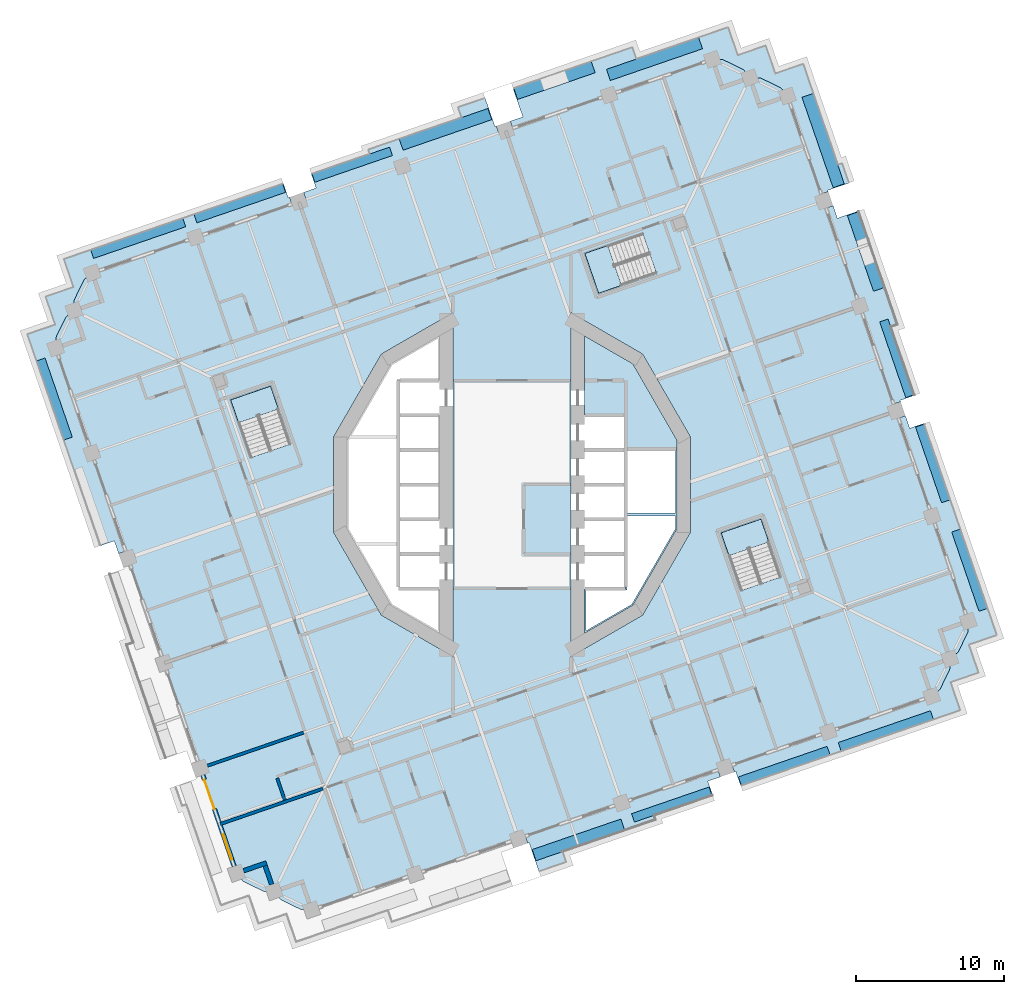
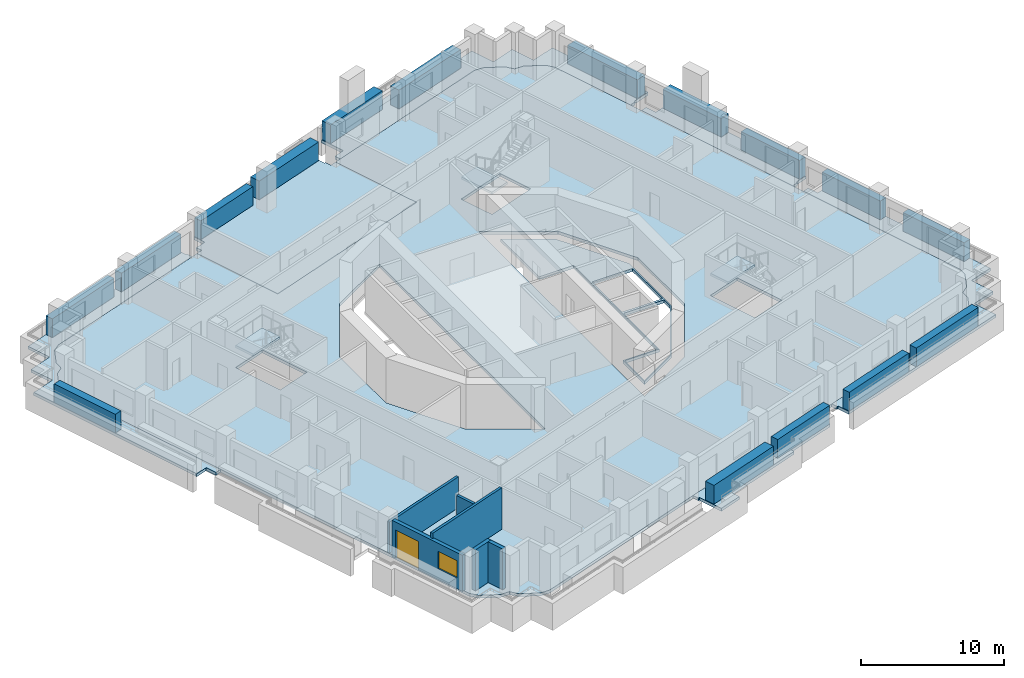
# One storey, part 3 of 18: 16 plates, 11 slabs, 6 walls, 1 door, 1 window, 2 openings, 3 elements without a shape of their own.
"""IFC4 building model written with IfcOpenShell, lengths in metres."""

from ifc_helpers import new_model, si_unit, direction, frame, frame_2d, origin, origin_2d, place, context, subcontext, project, spatial, polyline, rectangle, outline, extrude, material, layer, layer_set, type_object, element, fill, aggregate, save


model = new_model("IFC4")

# Units and contexts
model_context = context("Model", 3, precision=1e-05, world=origin(), true_north=direction((0.0, 1.0)))
body_context = subcontext(model_context, "Body", "Model", "MODEL_VIEW")
ifc_project = project(units=[si_unit("LENGTHUNIT", "METRE"), si_unit("AREAUNIT", "SQUARE_METRE"), si_unit("VOLUMEUNIT", "CUBIC_METRE"), si_unit("PLANEANGLEUNIT", "RADIAN"), si_unit("MASSUNIT", "GRAM", prefix="KILO")], contexts=[model_context])

# Site, building, storey
site_placement = place(None, origin())
site = spatial("IfcSite", under=ifc_project, at=site_placement, CompositionType="ELEMENT")
building_placement = place(site_placement, origin())
building = spatial("IfcBuilding", under=site, at=building_placement, Name="Cantera Rosa Tower", CompositionType="ELEMENT")
storey_placement = place(building_placement, frame((0.0, 0.0, 134.5)))
storey = spatial("IfcBuildingStorey", under=building, at=storey_placement, Name="L28", CompositionType="ELEMENT", Elevation=134.5)

# Slabs
ifc_material_1 = material(Name="Concrete C35/45", Category="concrete")
ifc_layer_1 = layer(ifc_material_1, 0.25)
ifc_layer_set_1 = layer_set([ifc_layer_1], Name="COMPOSITE FLOOR SLAB 250 C35/45")
slab_type_1 = type_object("IfcSlabType", Name="COMPOSITE FLOOR SLAB 250 C35/45", PredefinedType="FLOOR", material=ifc_layer_set_1)
slab_1_placement = place(storey_placement, frame((0.0, 0.0, -0.25)))
element("IfcSlab", 1, at=slab_1_placement, inside=storey, type_object=slab_type_1, Name="SLAB L28 floor 2", PredefinedType="FLOOR", context=body_context, shape_type="SweptSolid", body=[
    extrude(outline(polyline([(-15.631591796875, -28.111083984375), (-15.65576171875, -28.09423828125), (-15.67822265625, -28.075439453125), (-15.698974609375, -28.05419921875), (-16.109619140625, -27.54541015625), (-16.763671875, -27.534912109375), (-16.79296875, -27.53173828125), (-16.82177734375, -27.525634765625), (-16.849609375, -27.516845703125), (-16.876708984375, -27.505126953125), (-18.14794921875, -26.88525390625), (-18.173583984375, -26.87109375), (-18.197998046875, -26.8544921875), (-18.220458984375, -26.83544921875), (-18.240966796875, -26.814453125), (-18.65185546875, -26.3056640625), (-18.948974609375, -25.443115234375), (-30.893310546875, 9.245849609375), (-30.8828125, 9.899658203125), (-30.87939453125, 9.928955078125), (-30.873291015625, 9.957763671875), (-30.864501953125, 9.98583984375), (-30.852783203125, 10.012939453125), (-30.23291015625, 11.283935546875), (-30.21875, 11.309814453125), (-30.2021484375, 11.333984375), (-30.18310546875, 11.356689453125), (-30.162109375, 11.377197265625), (-29.6533203125, 11.7880859375), (-29.642822265625, 12.44189453125), (-29.6396484375, 12.47119140625), (-29.633544921875, 12.5), (-29.62451171875, 12.528076171875), (-29.613037109375, 12.55517578125), (-28.9931640625, 13.826171875), (-28.97900390625, 13.85205078125), (-28.962158203125, 13.876220703125), (-28.943359375, 13.898681640625), (-28.922119140625, 13.91943359375), (-28.41357421875, 14.330078125), (-27.55078125, 14.627197265625), (-14.419921875, 19.148681640625), (-11.97802734375, 12.05712890625), (2.015625, 16.87548828125), (-0.426025390625, 23.967041015625), (13.567626953125, 28.785400390625), (14.221435546875, 28.77490234375), (14.250732421875, 28.771728515625), (14.279541015625, 28.765625), (14.3076171875, 28.756591796875), (14.334716796875, 28.7451171875), (15.605712890625, 28.125), (15.631591796875, 28.111083984375), (15.65576171875, 28.09423828125), (15.67822265625, 28.075439453125), (15.698974609375, 28.05419921875), (16.109619140625, 27.54541015625), (16.763671875, 27.534912109375), (16.79296875, 27.53173828125), (16.82177734375, 27.525634765625), (16.849609375, 27.516845703125), (16.876708984375, 27.505126953125), (18.14794921875, 26.88525390625), (18.173583984375, 26.87109375), (18.197998046875, 26.8544921875), (18.220458984375, 26.83544921875), (18.240966796875, 26.814453125), (18.65185546875, 26.3056640625), (18.948974609375, 25.443115234375), (30.893310546875, -9.245849609375), (30.8828125, -9.899658203125), (30.87939453125, -9.928955078125), (30.873291015625, -9.957763671875), (30.864501953125, -9.98583984375), (30.852783203125, -10.012939453125), (30.23291015625, -11.283935546875), (30.21875, -11.309814453125), (30.2021484375, -11.333984375), (30.18310546875, -11.356689453125), (30.162109375, -11.377197265625), (29.6533203125, -11.7880859375), (29.642822265625, -12.44189453125), (29.6396484375, -12.47119140625), (29.633544921875, -12.5), (29.62451171875, -12.528076171875), (29.613037109375, -12.55517578125), (28.9931640625, -13.826171875), (28.97900390625, -13.85205078125), (28.962158203125, -13.876220703125), (28.943359375, -13.898681640625), (28.922119140625, -13.91943359375), (28.41357421875, -14.330078125), (27.55078125, -14.627197265625), (-13.567626953125, -28.785400390625), (-14.221435546875, -28.77490234375), (-14.250732421875, -28.771728515625), (-14.279541015625, -28.765625), (-14.3076171875, -28.756591796875), (-14.334716796875, -28.7451171875), (-15.605712890625, -28.125), (-15.631591796875, -28.111083984375)]), holes=[polyline([(-12.07421875, -3.235107421875), (-8.8388671875, -8.8388671875), (-4.0, -11.632568359375), (-4.0, 11.632568359375), (-8.8388671875, 8.8388671875), (-12.07421875, 3.235107421875), (-12.07421875, -3.235107421875)]), polyline([(-16.347900390625, 6.6640625), (-19.042724609375, 5.736083984375), (-17.695556640625, 1.82373046875), (-15.000732421875, 2.751708984375), (-16.347900390625, 6.6640625)]), polyline([(16.85205078125, -2.3359375), (14.1572265625, -3.263916015625), (15.50439453125, -7.17626953125), (18.19921875, -6.248291015625), (16.85205078125, -2.3359375)]), polyline([(12.07421875, -3.235107421875), (12.07421875, 3.235107421875), (8.8388671875, 8.8388671875), (4.0, 11.632568359375), (4.0, -11.632568359375), (8.8388671875, -8.8388671875), (12.07421875, -3.235107421875)]), polyline([(4.935791015625, 15.652099609375), (5.86376953125, 12.957275390625), (9.7763671875, 14.304443359375), (8.848388671875, 16.999267578125), (4.935791015625, 15.652099609375)])]), origin(), (0.0, 0.0, 1.0), 0.25),
])
slab_2_placement = place(storey_placement, frame((0.0, 0.0, -0.25)))
element("IfcSlab", 2, at=slab_2_placement, inside=storey, type_object=slab_type_1, Name="SLAB L28 floor 3", PredefinedType="FLOOR", context=body_context, shape_type="SweptSolid", body=[
    extrude(outline(polyline([(7.699951171875, 4.699951171875), (4.89990234375, 4.699951171875), (4.89990234375, 10.07373046875), (8.179931640625, 8.179931640625), (11.174072265625, 2.994140625), (11.174072265625, -2.994140625), (8.179931640625, -8.179931640625), (4.89990234375, -10.07373046875), (4.89990234375, -7.050048828125), (7.699951171875, -7.050048828125), (7.699951171875, -4.699951171875), (7.699951171875, -2.35009765625), (7.699951171875, 0.0), (7.699951171875, 2.35009765625), (7.699951171875, 4.699951171875)]), holes=[polyline([(7.800048828125, -7.14990234375), (5.0, -7.14990234375), (5.0, -9.900390625), (8.106689453125, -8.106689453125), (11.07421875, -2.96728515625), (11.07421875, -2.11474609375), (7.800048828125, -2.11474609375), (7.800048828125, -2.25), (7.800048828125, -2.449951171875), (7.800048828125, -7.14990234375)]), polyline([(11.07421875, 2.317626953125), (7.800048828125, 2.317626953125), (7.800048828125, 2.25), (7.800048828125, -1.914794921875), (11.07421875, -1.914794921875), (11.07421875, 2.317626953125)])]), origin(), (0.0, 0.0, 1.0), 0.25),
])
ifc_material_2 = material(Name="Concrete C35/45", Category="concrete")
ifc_layer_2 = layer(ifc_material_2, 0.25)
ifc_layer_set_2 = layer_set([ifc_layer_2], Name="LOGGIA SLAB 250 C35/45")
slab_type_2 = type_object("IfcSlabType", Name="LOGGIA SLAB 250 C35/45", PredefinedType="FLOOR", material=ifc_layer_set_2)
slab_3_placement = place(storey_placement, frame((0.0, 0.0, -0.25)))
element("IfcSlab", 3, at=slab_3_placement, inside=storey, type_object=slab_type_2, Name="LOGGIA SLAB L28 1", PredefinedType="FLOOR", context=body_context, shape_type="SweptSolid", body=[
    extrude(outline(polyline([(-32.7998046875, 10.17578125), (-31.381591796875, 10.6640625), (-30.908935546875, 10.826904296875), (-31.071533203125, 11.2998046875), (-31.56005859375, 12.718017578125), (-30.1416015625, 13.206298828125), (-29.6689453125, 13.369140625), (-29.831787109375, 13.841796875), (-30.320068359375, 15.260009765625), (-28.90185546875, 15.74853515625), (-23.3232421875, 17.669189453125), (-20.48681640625, 18.64599609375), (-16.326416015625, 20.07861328125), (-15.4755859375, 20.37158203125), (-15.14990234375, 19.426025390625), (-15.055419921875, 19.45849609375), (-14.892578125, 18.98583984375), (-27.55078125, 14.627197265625), (-28.41357421875, 14.330078125), (-28.922119140625, 13.91943359375), (-28.943359375, 13.898681640625), (-28.962158203125, 13.876220703125), (-28.97900390625, 13.85205078125), (-28.9931640625, 13.826171875), (-29.613037109375, 12.55517578125), (-29.62451171875, 12.528076171875), (-29.633544921875, 12.5), (-29.6396484375, 12.47119140625), (-29.642822265625, 12.44189453125), (-29.6533203125, 11.7880859375), (-30.162109375, 11.377197265625), (-30.18310546875, 11.356689453125), (-30.2021484375, 11.333984375), (-30.21875, 11.309814453125), (-30.23291015625, 11.283935546875), (-30.852783203125, 10.012939453125), (-30.864501953125, 9.98583984375), (-30.873291015625, 9.957763671875), (-30.87939453125, 9.928955078125), (-30.8828125, 9.899658203125), (-30.893310546875, 9.245849609375), (-26.159423828125, -4.501953125), (-26.63232421875, -4.664794921875), (-26.92529296875, -3.813720703125), (-27.892333984375, -4.146728515625), (-27.932373046875, -4.03076171875), (-27.910888671875, -4.023193359375), (-29.375, 0.22900390625), (-30.3515625, 3.0654296875), (-32.3115234375, 8.757568359375), (-32.7998046875, 10.17578125)])), origin(), (0.0, 0.0, 1.0), 0.25),
])
slab_4_placement = place(storey_placement, frame((0.0, 0.0, -0.25)))
element("IfcSlab", 4, at=slab_4_placement, inside=storey, type_object=slab_type_2, Name="LOGGIA SLAB L28 4", PredefinedType="FLOOR", context=body_context, shape_type="SweptSolid", body=[
    extrude(outline(polyline([(14.10986328125, -19.7841796875), (13.2587890625, -20.0771484375), (13.58447265625, -21.022705078125), (13.489990234375, -21.05517578125), (9.619873046875, -22.3876953125), (9.7197265625, -22.677978515625), (3.408447265625, -24.851318359375), (3.64453125, -25.53662109375), (1.81787109375, -26.165771484375), (1.15625, -24.244384765625), (1.061767578125, -24.277099609375), (0.89892578125, -23.80419921875), (13.947021484375, -19.311279296875), (14.10986328125, -19.7841796875)])), origin(), (0.0, 0.0, 1.0), 0.25),
])
slab_5_placement = place(storey_placement, frame((0.0, 0.0, -0.25)))
element("IfcSlab", 5, at=slab_5_placement, inside=storey, type_object=slab_type_2, Name="LOGGIA SLAB L28 5", PredefinedType="FLOOR", context=body_context, shape_type="SweptSolid", body=[
    extrude(outline(polyline([(15.272705078125, 29.05517578125), (15.556396484375, 29.15283203125), (17.16357421875, 29.706298828125), (17.717041015625, 28.09912109375), (17.814697265625, 27.815185546875), (18.098388671875, 27.9130859375), (19.705810546875, 28.466552734375), (20.25927734375, 26.859130859375), (22.055908203125, 21.641357421875), (22.341064453125, 21.739501953125), (22.79736328125, 20.414306640625), (21.377685546875, 19.92529296875), (21.41015625, 19.830810546875), (20.9375, 19.668212890625), (18.948974609375, 25.443115234375), (18.65185546875, 26.3056640625), (18.240966796875, 26.814453125), (18.220458984375, 26.83544921875), (18.197998046875, 26.8544921875), (18.173583984375, 26.87109375), (18.14794921875, 26.88525390625), (16.876708984375, 27.505126953125), (16.849609375, 27.516845703125), (16.82177734375, 27.525634765625), (16.79296875, 27.53173828125), (16.763671875, 27.534912109375), (16.109619140625, 27.54541015625), (15.698974609375, 28.05419921875), (15.67822265625, 28.075439453125), (15.65576171875, 28.09423828125), (15.631591796875, 28.111083984375), (15.605712890625, 28.125), (14.334716796875, 28.7451171875), (14.3076171875, 28.756591796875), (14.279541015625, 28.765625), (14.250732421875, 28.771728515625), (14.221435546875, 28.77490234375), (13.567626953125, 28.785400390625), (0.046630859375, 24.1298828125), (-0.1162109375, 24.6025390625), (0.73486328125, 24.8955078125), (0.0732421875, 26.81689453125), (8.140380859375, 29.594482421875), (8.411376953125, 28.807861328125), (13.01416015625, 30.392822265625), (14.62158203125, 30.9462890625), (15.1748046875, 29.3388671875), (15.272705078125, 29.05517578125)])), origin(), (0.0, 0.0, 1.0), 0.25),
])
slab_6_placement = place(storey_placement, frame((0.0, 0.0, -0.25)))
element("IfcSlab", 6, at=slab_6_placement, inside=storey, type_object=slab_type_2, Name="LOGGIA SLAB L28 6", PredefinedType="FLOOR", context=body_context, shape_type="SweptSolid", body=[
    extrude(outline(polyline([(25.833984375, 5.447509765625), (21.262939453125, 18.72265625), (21.735595703125, 18.885498046875), (22.02880859375, 18.034423828125), (23.448486328125, 18.523193359375), (26.0927734375, 10.843994140625), (25.639892578125, 10.688232421875), (27.2412109375, 6.037841796875), (26.274169921875, 5.704833984375), (26.306640625, 5.6103515625), (25.833984375, 5.447509765625)])), origin(), (0.0, 0.0, 1.0), 0.25),
])
slab_7_placement = place(storey_placement, frame((0.0, 0.0, -0.25)))
element("IfcSlab", 7, at=slab_7_placement, inside=storey, type_object=slab_type_2, Name="LOGGIA SLAB L28 7", PredefinedType="FLOOR", context=body_context, shape_type="SweptSolid", body=[
    extrude(outline(polyline([(32.7998046875, -10.17578125), (31.381591796875, -10.6640625), (30.908935546875, -10.826904296875), (31.071533203125, -11.2998046875), (31.56005859375, -12.718017578125), (30.1416015625, -13.206298828125), (29.6689453125, -13.369140625), (29.831787109375, -13.841796875), (30.320068359375, -15.260009765625), (28.90185546875, -15.74853515625), (23.3232421875, -17.669189453125), (20.48681640625, -18.64599609375), (16.326416015625, -20.07861328125), (15.4755859375, -20.37158203125), (15.14990234375, -19.426025390625), (15.055419921875, -19.45849609375), (14.892578125, -18.98583984375), (27.55078125, -14.627197265625), (28.41357421875, -14.330078125), (28.922119140625, -13.91943359375), (28.943359375, -13.898681640625), (28.962158203125, -13.876220703125), (28.97900390625, -13.85205078125), (28.9931640625, -13.826171875), (29.613037109375, -12.55517578125), (29.62451171875, -12.528076171875), (29.633544921875, -12.5), (29.6396484375, -12.47119140625), (29.642822265625, -12.44189453125), (29.6533203125, -11.7880859375), (30.162109375, -11.377197265625), (30.18310546875, -11.356689453125), (30.2021484375, -11.333984375), (30.21875, -11.309814453125), (30.23291015625, -11.283935546875), (30.852783203125, -10.012939453125), (30.864501953125, -9.98583984375), (30.873291015625, -9.957763671875), (30.87939453125, -9.928955078125), (30.8828125, -9.899658203125), (30.893310546875, -9.245849609375), (26.159423828125, 4.501953125), (26.63232421875, 4.664794921875), (26.92529296875, 3.813720703125), (27.892333984375, 4.146728515625), (27.932373046875, 4.03076171875), (27.910888671875, 4.023193359375), (29.375, -0.22900390625), (30.3515625, -3.0654296875), (32.3115234375, -8.757568359375), (32.7998046875, -10.17578125)])), origin(), (0.0, 0.0, 1.0), 0.25),
])

# Plates
ifc_material_3 = material(Name="Cantera stone planter with soil", Category="masonry")
plate_type_1 = type_object("IfcPlateType", Name="PLANTER 600", PredefinedType="USERDEFINED", material=ifc_material_3)
plate_1_placement = place(storey_placement, frame((30.974609375, -5.79638671875, 0.0), z_axis=(0.0, 0.0, 1.0), x_axis=(-0.325568154457, 0.945518575599, 0.0)))
element("IfcPlate", 8, at=plate_1_placement, inside=storey, type_object=plate_type_1, Name="PLANTER L28-01", ObjectType="PLANTER", PredefinedType="USERDEFINED", context=body_context, shape_type="SweptSolid", body=[
    extrude(rectangle(XDim=5.669921875, YDim=0.60009765625, at=origin_2d()), origin(), (0.0, 0.0, 1.0), 1.60009765625),
])
for number, where, z_axis, x_axis, name in (
    (9, (28.485595703125, 1.43212890625, 0.0), (0.0, 0.0, 1.0), (-0.325568154457, 0.945518575599, 0.0), "PLANTER L28-02"),
    (10, (26.05908203125, 8.5498046875, 0.0), (0.0, 0.0, 1.0), (-0.325568154457, 0.945518575599, 0.0), "PLANTER L28-03"),
):
    element("IfcPlate", number, at=place(storey_placement, frame(where, z_axis=z_axis, x_axis=x_axis)), inside=storey, type_object=plate_type_1, Name=name, ObjectType="PLANTER", PredefinedType="USERDEFINED", context=body_context, shape_type="SweptSolid", body=[
        extrude(rectangle(XDim=5.419921875, YDim=0.60009765625, at=origin_2d()), origin(), (0.0, 0.0, 1.0), 1.60009765625),
    ])
plate_2_placement = place(storey_placement, frame((-10.815673828125, 21.65869140625, 0.0), z_axis=(0.0, 0.0, 1.0), x_axis=(-0.945518575599, -0.325568154457, 0.0)))
element("IfcPlate", 11, at=plate_2_placement, inside=storey, type_object=plate_type_1, Name="PLANTER L28-09", ObjectType="PLANTER", PredefinedType="USERDEFINED", context=body_context, shape_type="SweptSolid", body=[
    extrude(rectangle(XDim=5.550048828125, YDim=0.60009765625, at=origin_2d()), origin(), (0.0, 0.0, 1.0), 1.60009765625),
])
plate_3_placement = place(storey_placement, frame((-18.427001953125, 19.037841796875, 0.0), z_axis=(0.0, 0.0, 1.0), x_axis=(-0.945518575599, -0.325568154457, 0.0)))
element("IfcPlate", 12, at=plate_3_placement, inside=storey, type_object=plate_type_1, Name="PLANTER L28-10", ObjectType="PLANTER", PredefinedType="USERDEFINED", context=body_context, shape_type="SweptSolid", body=[
    extrude(rectangle(XDim=6.35009765625, YDim=0.60009765625, at=origin_2d()), origin(), (0.0, 0.0, 1.0), 1.60009765625),
])
plate_4_placement = place(storey_placement, frame((-25.3056640625, 16.66943359375, 0.0), z_axis=(0.0, 0.0, 1.0), x_axis=(-0.945518575599, -0.325568154457, 0.0)))
element("IfcPlate", 13, at=plate_4_placement, inside=storey, type_object=plate_type_1, Name="PLANTER L28-11", ObjectType="PLANTER", PredefinedType="USERDEFINED", context=body_context, shape_type="SweptSolid", body=[
    extrude(rectangle(XDim=6.60009765625, YDim=0.60009765625, at=origin_2d()), origin(), (0.0, 0.0, 1.0), 1.60009765625),
])
plate_5_placement = place(storey_placement, frame((-30.974609375, 5.79638671875, 0.0), z_axis=(0.0, 0.0, 1.0), x_axis=(0.325568154457, -0.945518575599, 0.0)))
element("IfcPlate", 14, at=plate_5_placement, inside=storey, type_object=plate_type_1, Name="PLANTER L28-12", ObjectType="PLANTER", PredefinedType="USERDEFINED", context=body_context, shape_type="SweptSolid", body=[
    extrude(rectangle(XDim=5.669921875, YDim=0.60009765625, at=origin_2d()), origin(), (0.0, 0.0, 1.0), 1.60009765625),
])
plate_6_placement = place(storey_placement, frame((10.815673828125, -21.65869140625, 0.0), z_axis=(0.0, 0.0, 1.0), x_axis=(0.945518575599, 0.325568154457, 0.0)))
element("IfcPlate", 15, at=plate_6_placement, inside=storey, type_object=plate_type_1, Name="PLANTER L28-20", ObjectType="PLANTER", PredefinedType="USERDEFINED", context=body_context, shape_type="SweptSolid", body=[
    extrude(rectangle(XDim=5.550048828125, YDim=0.60009765625, at=origin_2d()), origin(), (0.0, 0.0, 1.0), 1.60009765625),
])
plate_7_placement = place(storey_placement, frame((18.427001953125, -19.037841796875, 0.0), z_axis=(0.0, 0.0, 1.0), x_axis=(0.945518575599, 0.325568154457, 0.0)))
element("IfcPlate", 16, at=plate_7_placement, inside=storey, type_object=plate_type_1, Name="PLANTER L28-21", ObjectType="PLANTER", PredefinedType="USERDEFINED", context=body_context, shape_type="SweptSolid", body=[
    extrude(rectangle(XDim=6.35009765625, YDim=0.60009765625, at=origin_2d()), origin(), (0.0, 0.0, 1.0), 1.60009765625),
])
plate_8_placement = place(storey_placement, frame((25.3056640625, -16.66943359375, 0.0), z_axis=(0.0, 0.0, 1.0), x_axis=(0.945518575599, 0.325568154457, 0.0)))
element("IfcPlate", 17, at=plate_8_placement, inside=storey, type_object=plate_type_1, Name="PLANTER L28-22", ObjectType="PLANTER", PredefinedType="USERDEFINED", context=body_context, shape_type="SweptSolid", body=[
    extrude(rectangle(XDim=6.60009765625, YDim=0.60009765625, at=origin_2d()), origin(), (0.0, 0.0, 1.0), 1.60009765625),
])
ifc_material_4 = material(Name="Cantera stone planter with soil", Category="masonry")
plate_type_2 = type_object("IfcPlateType", Name="PLANTER 800", PredefinedType="USERDEFINED", material=ifc_material_4)
plate_9_placement = place(storey_placement, frame((23.968994140625, 15.783447265625, 0.0), z_axis=(0.0, 0.0, 1.0), x_axis=(-0.325568154457, 0.945518575599, 0.0)))
element("IfcPlate", 18, at=plate_9_placement, inside=storey, type_object=plate_type_2, Name="PLANTER L28-04", ObjectType="PLANTER", PredefinedType="USERDEFINED", context=body_context, shape_type="SweptSolid", body=[
    extrude(rectangle(XDim=5.419921875, YDim=0.800048828125, at=origin_2d()), origin(), (0.0, 0.0, 1.0), 1.60009765625),
])
plate_10_placement = place(storey_placement, frame((21.064453125, 23.2919921875, 0.0), z_axis=(0.0, 0.0, 1.0), x_axis=(-0.325568154457, 0.945518575599, 0.0)))
element("IfcPlate", 19, at=plate_10_placement, inside=storey, type_object=plate_type_2, Name="PLANTER L28-05", ObjectType="PLANTER", PredefinedType="USERDEFINED", context=body_context, shape_type="SweptSolid", body=[
    extrude(rectangle(XDim=6.469970703125, YDim=0.800048828125, at=origin_2d()), origin(), (0.0, 0.0, 1.0), 1.60009765625),
])
plate_11_placement = place(storey_placement, frame((9.64599609375, 28.81005859375, 0.0), z_axis=(0.0, 0.0, 1.0), x_axis=(-0.945518575599, -0.325568154457, 0.0)))
element("IfcPlate", 20, at=plate_11_placement, inside=storey, type_object=plate_type_2, Name="PLANTER L28-06", ObjectType="PLANTER", PredefinedType="USERDEFINED", context=body_context, shape_type="SweptSolid", body=[
    extrude(rectangle(XDim=6.60009765625, YDim=0.800048828125, at=origin_2d()), origin(), (0.0, 0.0, 1.0), 1.60009765625),
])
plate_12_placement = place(storey_placement, frame((2.87451171875, 27.3583984375, 0.0), z_axis=(0.0, 0.0, 1.0), x_axis=(-0.945518575599, -0.325568154457, 0.0)))
element("IfcPlate", 21, at=plate_12_placement, inside=storey, type_object=plate_type_2, Name="PLANTER L28-07", ObjectType="PLANTER", PredefinedType="USERDEFINED", context=body_context, shape_type="SweptSolid", body=[
    extrude(rectangle(XDim=5.550048828125, YDim=0.800048828125, at=origin_2d()), origin(), (0.0, 0.0, 1.0), 1.60009765625),
])
for number, where, z_axis, x_axis, name in (
    (22, (-4.500732421875, 24.052001953125, 0.0), (0.0, 0.0, 1.0), (-0.945518575599, -0.325568154457, 0.0), "PLANTER L28-08"),
    (23, (4.500732421875, -24.052001953125, 0.0), (0.0, 0.0, 1.0), (0.945518575599, 0.325568154457, 0.0), "PLANTER L28-19"),
):
    element("IfcPlate", number, at=place(storey_placement, frame(where, z_axis=z_axis, x_axis=x_axis)), inside=storey, type_object=plate_type_2, Name=name, ObjectType="PLANTER", PredefinedType="USERDEFINED", context=body_context, shape_type="SweptSolid", body=[
        extrude(rectangle(XDim=6.35009765625, YDim=0.800048828125, at=origin_2d()), origin(), (0.0, 0.0, 1.0), 1.60009765625),
    ])

# Stair, slab
ifc_material_5 = material(Name="Concrete C35/45", Category="concrete")
stair_type = type_object("IfcStairType", Name="EXIT STAIR 1350 DOGLEG", PredefinedType="HALF_TURN_STAIR", material=ifc_material_5)
stair_1_placement = place(storey_placement, origin())
stair_1 = element("IfcStair", 24, at=stair_1_placement, inside=storey, type_object=stair_type, Name="L28 ST-21", PredefinedType="HALF_TURN_STAIR")
ifc_material_6 = material(Name="Concrete C35/45", Category="concrete")
ifc_layer_3 = layer(ifc_material_6, 0.199951171875)
ifc_layer_set_3 = layer_set([ifc_layer_3], Name="STAIR LANDING 200")
slab_type_3 = type_object("IfcSlabType", Name="STAIR LANDING 200", PredefinedType="LANDING", material=ifc_layer_set_3)
slab_8_placement = place(storey_placement, frame((0.0, 0.0, 1.699951171875)))
slab_8 = element("IfcSlab", 25, at=slab_8_placement, type_object=slab_type_3, Name="ST-21 landing 1", PredefinedType="LANDING", context=body_context, shape_type="SweptSolid", body=[
    extrude(outline(polyline([(6.488525390625, 16.1865234375), (4.935791015625, 15.652099609375), (5.86376953125, 12.957275390625), (7.416259765625, 13.491943359375), (6.488525390625, 16.1865234375)])), origin(), (0.0, 0.0, 1.0), 0.199951171875),
])
aggregate(stair_1, [slab_8])

stair_2_placement = place(storey_placement, origin())
stair_2 = element("IfcStair", 26, at=stair_2_placement, inside=storey, type_object=stair_type, Name="L28 ST-22", PredefinedType="HALF_TURN_STAIR")
slab_9_placement = place(storey_placement, frame((0.0, 0.0, 1.699951171875)))
slab_9 = element("IfcSlab", 27, at=slab_9_placement, type_object=slab_type_3, Name="ST-22 landing 1", PredefinedType="LANDING", context=body_context, shape_type="SweptSolid", body=[
    extrude(outline(polyline([(-15.8134765625, 5.111572265625), (-16.347900390625, 6.6640625), (-19.042724609375, 5.736328125), (-18.508056640625, 4.18359375), (-15.8134765625, 5.111572265625)])), origin(), (0.0, 0.0, 1.0), 0.199951171875),
])
aggregate(stair_2, [slab_9])

stair_3_placement = place(storey_placement, origin())
stair_3 = element("IfcStair", 28, at=stair_3_placement, inside=storey, type_object=stair_type, Name="L28 ST-23", PredefinedType="HALF_TURN_STAIR")
slab_10_placement = place(storey_placement, frame((0.0, 0.0, 1.699951171875)))
slab_10 = element("IfcSlab", 29, at=slab_10_placement, type_object=slab_type_3, Name="ST-23 landing 1", PredefinedType="LANDING", context=body_context, shape_type="SweptSolid", body=[
    extrude(outline(polyline([(17.38671875, -3.888427734375), (16.85205078125, -2.3359375), (14.1572265625, -3.263671875), (14.69189453125, -4.81640625), (17.38671875, -3.888427734375)])), origin(), (0.0, 0.0, 1.0), 0.199951171875),
])
aggregate(stair_3, [slab_10])

# Slab
ifc_material_7 = material(Name="Concrete C35/45", Category="concrete")
ifc_layer_4 = layer(ifc_material_7, 0.25)
ifc_layer_set_4 = layer_set([ifc_layer_4], Name="TERRACE SLAB 250 C35/45")
slab_type_4 = type_object("IfcSlabType", Name="TERRACE SLAB 250 C35/45", PredefinedType="FLOOR", material=ifc_layer_set_4)
slab_11_placement = place(storey_placement, frame((0.0, 0.0, -0.25)))
element("IfcSlab", 30, at=slab_11_placement, inside=storey, type_object=slab_type_4, Name="TERRACE SLAB L28 1", PredefinedType="FLOOR", context=body_context, shape_type="SweptSolid", body=[
    extrude(outline(polyline([(-13.2587890625, 20.0771484375), (-13.58447265625, 21.022705078125), (-13.489990234375, 21.05517578125), (-9.619873046875, 22.3876953125), (-9.7197265625, 22.677978515625), (-3.408447265625, 24.851318359375), (-3.64453125, 25.53662109375), (-1.81787109375, 26.165771484375), (-1.15625, 24.244384765625), (-1.061767578125, 24.277099609375), (-0.89892578125, 23.80419921875), (-0.685791015625, 23.877685546875), (-0.426025390625, 23.967041015625), (2.015625, 16.87548828125), (-11.97802734375, 12.05712890625), (-14.419921875, 19.148681640625), (-13.947021484375, 19.311279296875), (-14.10986328125, 19.7841796875), (-13.2587890625, 20.0771484375)])), origin(), (0.0, 0.0, 1.0), 0.25),
])

# Walls
ifc_material_8 = material(Name="Hollow clay masonry with cantera stone cladding", Category="masonry")
ifc_layer_5 = layer(ifc_material_8, 0.300048828125)
ifc_layer_set_5 = layer_set([ifc_layer_5], Name="EW-LOGGIA 300")
wall_type_1 = type_object("IfcWallType", Name="EW-LOGGIA 300", PredefinedType="SOLIDWALL", material=ifc_layer_set_5)
wall_1_placement = place(storey_placement, frame((-18.17919921875, -26.142822265625, 0.0), z_axis=(0.0, 0.0, 1.0), x_axis=(0.945530119553, 0.32553462645, 0.0)))
element("IfcWall", 31, at=wall_1_placement, inside=storey, type_object=wall_type_1, Name="EN-L28-W21a", PredefinedType="SOLIDWALL", context=body_context, shape_type="SweptSolid", body=[
    extrude(rectangle(XDim=1.64990234375, YDim=0.300048828125, at=frame_2d((0.824951171875, 0.0))), origin(), (0.0, 0.0, 1.0), 3.5),
])
wall_2_placement = place(storey_placement, frame((-16.7119140625, -25.79638671875, 0.0), z_axis=(0.0, 0.0, 1.0), x_axis=(0.325544748006, -0.945526634763, 0.0)))
element("IfcWall", 32, at=wall_2_placement, inside=storey, type_object=wall_type_1, Name="EN-L28-W21b", PredefinedType="SOLIDWALL", context=body_context, shape_type="SweptSolid", body=[
    extrude(rectangle(XDim=1.349853515625, YDim=0.300048828125, at=frame_2d((0.6748046875, 0.0))), origin(), (0.0, 0.0, 1.0), 3.5),
])

# Wall, openings, window, door
ifc_material_9 = material(Name="Hollow clay masonry with cantera stone cladding", Category="masonry")
ifc_layer_6 = layer(ifc_material_9, 0.300048828125)
ifc_layer_set_6 = layer_set([ifc_layer_6], Name="EW-LOGGIA 300 H3090")
wall_type_2 = type_object("IfcWallType", Name="EW-LOGGIA 300 H3090", PredefinedType="SOLIDWALL", material=ifc_layer_set_6)
wall_3_placement = place(storey_placement, frame((-20.9375, -19.668212890625, 0.0), z_axis=(0.0, 0.0, 1.0), x_axis=(0.325592517631, -0.945510186335, 0.0)))
wall_3 = element("IfcWall", 33, at=wall_3_placement, inside=storey, type_object=wall_type_2, Name="EN-L28-W20", PredefinedType="SOLIDWALL", context=body_context, shape_type="SweptSolid", body=[
    extrude(rectangle(XDim=6.519775390625, YDim=0.300048828125, at=frame_2d((3.259765625, 0.0))), origin(), (0.0, 0.0, 1.0), 3.090087890625),
])
opening_1_placement = place(wall_3_placement, frame((0.330078125, 0.0, 0.0)))
opening_1 = element("IfcOpeningElement", 34, at=opening_1_placement, cuts=wall_3, Name="Opening L28-TD27", PredefinedType="OPENING", context=body_context, shape_type="SweptSolid", body=[
    extrude(rectangle(XDim=2.10009765625, YDim=2.39990234375, at=frame_2d((1.050048828125, 1.199951171875))), frame((0.0, 0.159912109375, 0.0), z_axis=(0.0, -1.0, 0.0), x_axis=(1.0, 0.0, 0.0)), (0.0, 0.0, 1.0), 0.320068359375),
])
opening_2_placement = place(wall_3_placement, frame((4.239990234375, 0.0, 0.89990234375)))
opening_2 = element("IfcOpeningElement", 35, at=opening_2_placement, cuts=wall_3, Name="Opening L28-W28", PredefinedType="OPENING", context=body_context, shape_type="SweptSolid", body=[
    extrude(rectangle(XDim=1.800048828125, YDim=1.5, at=frame_2d((0.89990234375, 0.75))), frame((0.0, 0.159912109375, 0.0), z_axis=(0.0, -1.0, 0.0), x_axis=(1.0, 0.0, 0.0)), (0.0, 0.0, 1.0), 0.320068359375),
])
ifc_material_10 = material(Name="Aluminium frame with clear glass", Category="aluminium")
window_type = type_object("IfcWindowType", Name="Hotel room window 1800x1500", PartitioningType="DOUBLE_PANEL_VERTICAL", PredefinedType="WINDOW", material=ifc_material_10)
window_placement = place(opening_2_placement, origin())
window = element("IfcWindow", 36, at=window_placement, inside=storey, type_object=window_type, Name="WINDOW L28-W28", OverallHeight=1.5, OverallWidth=1.800048828125, PartitioningType="SINGLE_PANEL", PredefinedType="WINDOW", context=body_context, shape_type="SweptSolid", body=[
    extrude(rectangle(XDim=1.800048828125, YDim=1.5, at=frame_2d((0.89990234375, 0.75))), frame((0.0, 0.030029296875, 0.0), z_axis=(0.0, -1.0, 0.0), x_axis=(1.0, 0.0, 0.0)), (0.0, 0.0, 1.0), 0.06005859375),
])
fill(opening_2, window)
ifc_material_11 = material(Name="Aluminium frame with clear glass", Category="aluminium")
door_type = type_object("IfcDoorType", Name="TD-H 2100x2400", OperationType="NOTDEFINED", PredefinedType="DOOR", material=ifc_material_11)
door_placement = place(opening_1_placement, origin())
door = element("IfcDoor", 37, at=door_placement, inside=storey, type_object=door_type, Name="LOGGIA DOOR L28-TD27", OperationType="SLIDING_TO_LEFT", OverallHeight=2.39990234375, OverallWidth=2.10009765625, PredefinedType="DOOR", context=body_context, shape_type="SweptSolid", body=[
    extrude(rectangle(XDim=2.10009765625, YDim=2.39990234375, at=frame_2d((1.050048828125, 1.199951171875))), frame((0.0, 0.02490234375, 0.0), z_axis=(0.0, -1.0, 0.0), x_axis=(1.0, 0.0, 0.0)), (0.0, 0.0, 1.0), 0.050048828125),
])
fill(opening_1, door)

# Walls
ifc_material_12 = material(Name="Gypsum board partition")
ifc_layer_7 = layer(ifc_material_12, 0.199951171875)
ifc_layer_set_7 = layer_set([ifc_layer_7], Name="PARTITION 200 H3550")
wall_type_3 = type_object("IfcWallType", Name="PARTITION 200 H3550", PredefinedType="PARTITIONING", material=ifc_layer_set_7)
wall_4_placement = place(storey_placement, frame((-15.386474609375, -21.352783203125, 0.0), z_axis=(0.0, 0.0, 1.0), x_axis=(-0.325508352099, 0.945539165087, 0.0)))
element("IfcWall", 38, at=wall_4_placement, inside=storey, type_object=wall_type_3, Name="PARTITION L28-024", PredefinedType="PARTITIONING", context=body_context, shape_type="SweptSolid", body=[
    extrude(rectangle(XDim=1.56005859375, YDim=0.199951171875, at=frame_2d((0.780029296875, 0.0))), origin(), (0.0, 0.0, 1.0), 3.550048828125),
])
ifc_material_13 = material(Name="Gypsum board partition")
ifc_layer_8 = layer(ifc_material_13, 0.199951171875)
ifc_layer_set_8 = layer_set([ifc_layer_8], Name="PARTY WALL 200 H2650")
wall_type_4 = type_object("IfcWallType", Name="PARTY WALL 200 H2650", PredefinedType="PARTITIONING", material=ifc_layer_set_8)
wall_5_placement = place(storey_placement, frame((-14.103271484375, -16.7861328125, 0.0), z_axis=(0.0, 0.0, 1.0), x_axis=(-0.945520034471, -0.325563917555, 0.0)))
element("IfcWall", 39, at=wall_5_placement, inside=storey, type_object=wall_type_4, Name="PARTY WALL L28-027", PredefinedType="PARTITIONING", context=body_context, shape_type="SweptSolid", body=[
    extrude(rectangle(XDim=7.3701171875, YDim=0.199951171875, at=frame_2d((3.68505859375, 0.0))), origin(), (0.0, 0.0, 1.0), 2.64990234375),
])
ifc_material_14 = material(Name="Gypsum board partition")
ifc_layer_9 = layer(ifc_material_14, 0.199951171875)
ifc_layer_set_9 = layer_set([ifc_layer_9], Name="PARTY WALL 200 H3550")
wall_type_5 = type_object("IfcWallType", Name="PARTY WALL 200 H3550", PredefinedType="PARTITIONING", material=ifc_layer_set_9)
wall_6_placement = place(storey_placement, frame((-19.762939453125, -22.986572265625, 0.0), z_axis=(0.0, 0.0, 1.0), x_axis=(0.945516523202, 0.32557411499, 0.0)))
element("IfcWall", 40, at=wall_6_placement, inside=storey, type_object=wall_type_5, Name="PARTY WALL L28-013", PredefinedType="PARTITIONING", context=body_context, shape_type="SweptSolid", body=[
    extrude(rectangle(XDim=7.369873046875, YDim=0.199951171875, at=frame_2d((3.68505859375, 0.0))), origin(), (0.0, 0.0, 1.0), 3.550048828125),
])

save(model, "model.ifc")
